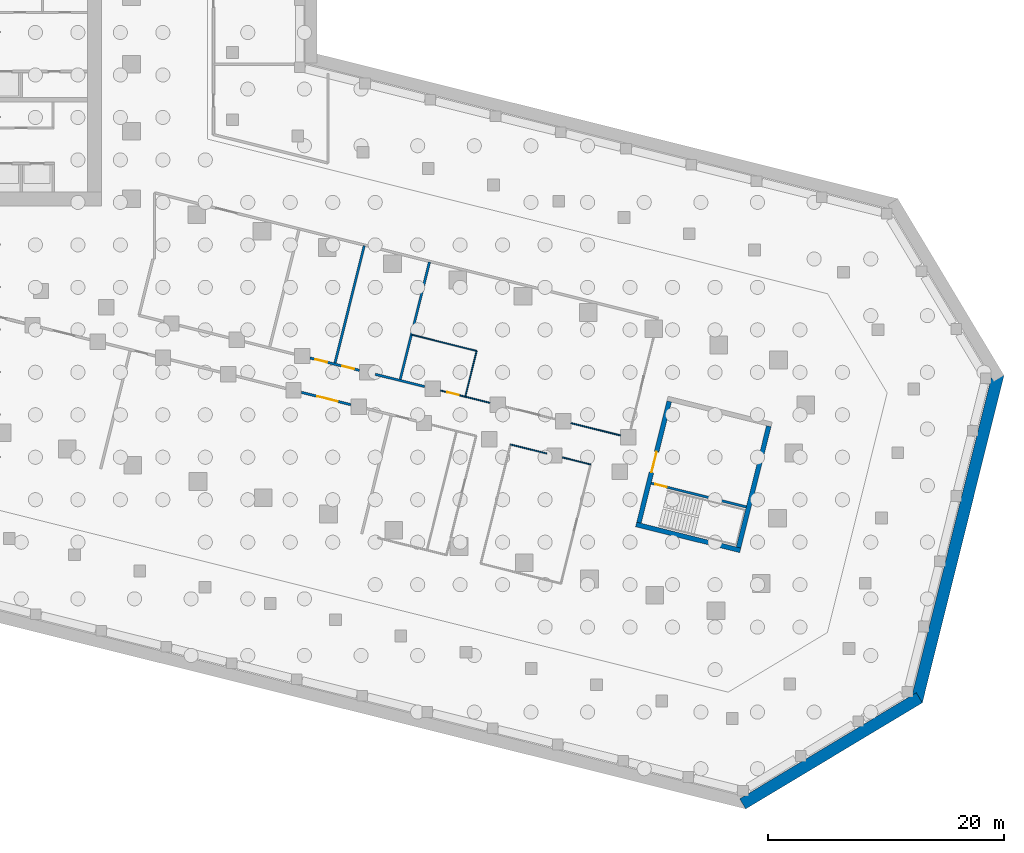
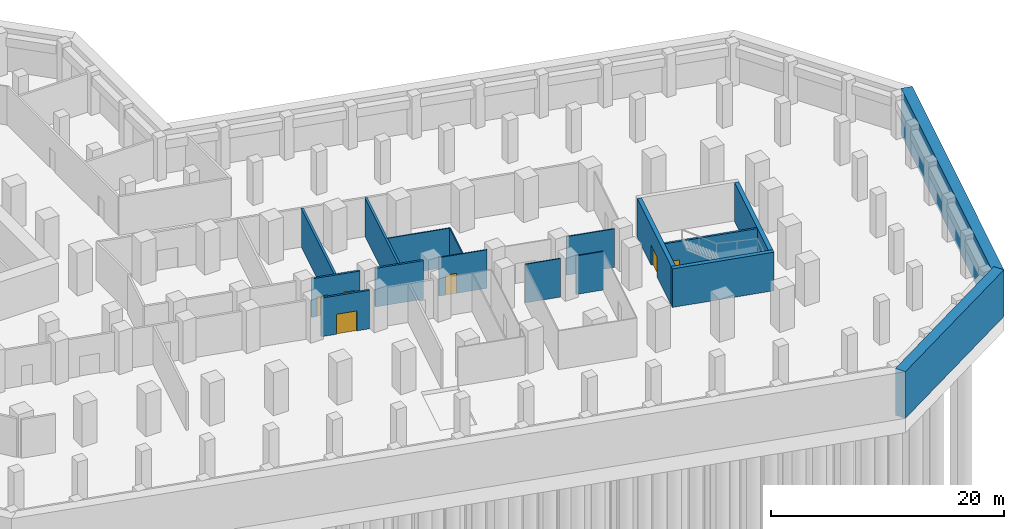
# One storey, part 8 of 15: 17 walls, 6 doors, 6 openings.
"""IFC4 building model written with IfcOpenShell, lengths in metres."""

from ifc_helpers import new_model, si_unit, direction, frame, frame_2d, origin, place, context, subcontext, project, spatial, rectangle, extrude, material, layer, layer_set, type_object, element, fill, save


model = new_model("IFC4")

# Units and contexts
model_context = context("Model", 3, precision=1e-05, world=origin(), true_north=direction((0.0, 1.0)))
body_context = subcontext(model_context, "Body", "Model", "MODEL_VIEW")
ifc_project = project(units=[si_unit("LENGTHUNIT", "METRE"), si_unit("AREAUNIT", "SQUARE_METRE"), si_unit("VOLUMEUNIT", "CUBIC_METRE"), si_unit("PLANEANGLEUNIT", "RADIAN"), si_unit("MASSUNIT", "GRAM", prefix="KILO")], contexts=[model_context])

# Site, building, storey
site_placement = place(None, origin())
site = spatial("IfcSite", under=ifc_project, at=site_placement, CompositionType="ELEMENT")
building_placement = place(site_placement, origin())
building = spatial("IfcBuilding", under=site, at=building_placement, Name="Meshkara Civic Tower", CompositionType="ELEMENT")
storey_placement = place(building_placement, frame((0.0, 0.0, -9.0)))
storey = spatial("IfcBuildingStorey", under=building, at=storey_placement, Name="B2", CompositionType="ELEMENT", Elevation=-9.0)

# Wall, opening, door
ifc_material_1 = material(Name="Corridor wall 100")
ifc_layer_1 = layer(ifc_material_1, 0.10009765625)
ifc_layer_set_1 = layer_set([ifc_layer_1], Name="Corridor wall 100")
wall_type_1 = type_object("IfcWallType", Name="Corridor wall 100", PredefinedType="PARTITIONING", material=ifc_layer_set_1)
wall_1_placement = place(storey_placement, frame((59.533935546875, -1.548095703125, 0.0), z_axis=(0.0, 0.0, 1.0), x_axis=(0.970298563138, -0.241910517285, 0.0)))
wall_1 = element("IfcWall", 1, at=wall_1_placement, inside=storey, type_object=wall_type_1, Name="B2-R064", PredefinedType="PARTITIONING", context=body_context, shape_type="SweptSolid", body=[
    extrude(rectangle(XDim=4.3193359375, YDim=0.10009765625, at=frame_2d((2.15966796875, 0.0))), origin(), (0.0, 0.0, 1.0), 4.050048828125),
])
opening_1_placement = place(wall_1_placement, frame((0.580078125, 0.0, 0.0)))
opening_1 = element("IfcOpeningElement", 2, at=opening_1_placement, cuts=wall_1, Name="Opening B2-P006", PredefinedType="OPENING", context=body_context, shape_type="SweptSolid", body=[
    extrude(rectangle(XDim=1.0, YDim=2.10009765625, at=frame_2d((0.5, 1.050048828125))), frame((0.0, 0.06005859375, 0.0), z_axis=(0.0, -1.0, 0.0), x_axis=(1.0, 0.0, 0.0)), (0.0, 0.0, 1.0), 0.1201171875),
])
ifc_material_2 = material(Name="Door 1000 x 2100")
door_type_1 = type_object("IfcDoorType", Name="Door 1000 x 2100", OperationType="SINGLE_SWING_LEFT", PredefinedType="DOOR", material=ifc_material_2)
door_1_placement = place(opening_1_placement, origin())
door_1 = element("IfcDoor", 3, at=door_1_placement, inside=storey, type_object=door_type_1, Name="B2-P006", OperationType="SINGLE_SWING_LEFT", OverallHeight=2.10009765625, OverallWidth=1.0, PredefinedType="DOOR", context=body_context, shape_type="SweptSolid", body=[
    extrude(rectangle(XDim=1.0, YDim=2.10009765625, at=frame_2d((0.5, 1.050048828125))), frame((0.0, 0.02490234375, 0.0), z_axis=(0.0, -1.0, 0.0), x_axis=(1.0, 0.0, 0.0)), (0.0, 0.0, 1.0), 0.050048828125),
])
fill(opening_1, door_1)

# Walls
wall_2_placement = place(storey_placement, frame((65.464111328125, -6.118896484375, 0.0), z_axis=(0.0, 0.0, 1.0), x_axis=(0.970314967916, -0.241844708519, 0.0)))
element("IfcWall", 4, at=wall_2_placement, inside=storey, type_object=wall_type_1, Name="B2-R068", PredefinedType="PARTITIONING", context=body_context, shape_type="SweptSolid", body=[
    extrude(rectangle(XDim=3.15966796875, YDim=0.10009765625, at=frame_2d((1.579833984375, 0.0))), origin(), (0.0, 0.0, 1.0), 4.050048828125),
])
wall_3_placement = place(storey_placement, frame((69.8701171875, -7.217041015625, 0.0), z_axis=(0.0, 0.0, 1.0), x_axis=(0.970311562898, -0.241858369519, 0.0)))
element("IfcWall", 5, at=wall_3_placement, inside=storey, type_object=wall_type_1, Name="B2-R071", PredefinedType="PARTITIONING", context=body_context, shape_type="SweptSolid", body=[
    extrude(rectangle(XDim=2.4599609375, YDim=0.10009765625, at=frame_2d((1.22998046875, 0.0))), origin(), (0.0, 0.0, 1.0), 4.050048828125),
])
wall_4_placement = place(storey_placement, frame((74.785888671875, -5.35107421875, 0.0), z_axis=(0.0, 0.0, 1.0), x_axis=(-0.970268742766, 0.242030094848, 0.0)))
element("IfcWall", 6, at=wall_4_placement, inside=storey, type_object=wall_type_1, Name="B2-R073", PredefinedType="PARTITIONING", context=body_context, shape_type="SweptSolid", body=[
    extrude(rectangle(XDim=4.318359375, YDim=0.10009765625, at=frame_2d((2.1591796875, 0.0))), origin(), (0.0, 0.0, 1.0), 4.050048828125),
])
ifc_material_3 = material(Name="Concrete C50", Category="concrete")
ifc_layer_2 = layer(ifc_material_3, 1.0)
ifc_layer_set_2 = layer_set([ifc_layer_2], Name="Diaphragm wall 1000 C50")
wall_type_2 = type_object("IfcWallType", Name="Diaphragm wall 1000 C50", PredefinedType="SOLIDWALL", material=ifc_layer_set_2)
wall_5_placement = place(storey_placement, frame((106.807373046875, -0.14599609375, -0.39990234375), z_axis=(0.0, 0.0, 1.0), x_axis=(-0.241950976383, -0.97028847516, 0.0)))
element("IfcWall", 7, at=wall_5_placement, inside=storey, type_object=wall_type_2, Name="Basement perimeter wall", PredefinedType="SOLIDWALL", context=body_context, shape_type="SweptSolid", body=[
    extrude(rectangle(XDim=28.594482421875, YDim=1.0, at=frame_2d((14.29736328125, 0.0))), origin(), (0.0, 0.0, 1.0), 4.89990234375),
])
wall_6_placement = place(storey_placement, frame((100.116455078125, -27.583251953125, -0.39990234375), z_axis=(0.0, 0.0, 1.0), x_axis=(-0.857158566266, -0.515052611174, 0.0)))
element("IfcWall", 8, at=wall_6_placement, inside=storey, type_object=wall_type_2, Name="Basement perimeter wall", PredefinedType="SOLIDWALL", context=body_context, shape_type="SweptSolid", body=[
    extrude(rectangle(XDim=17.46923828125, YDim=1.0, at=frame_2d((8.734619140625, 0.0))), origin(), (0.0, 0.0, 1.0), 4.89990234375),
])
ifc_material_4 = material(Name="Concrete C80", Category="concrete")
ifc_layer_3 = layer(ifc_material_4, 0.39990234375)
ifc_layer_set_3 = layer_set([ifc_layer_3], Name="End core ring wall 400 C80")
wall_type_3 = type_object("IfcWallType", Name="End core ring wall 400 C80", PredefinedType="SHEAR", material=ifc_layer_set_3)
wall_7_placement = place(storey_placement, frame((76.111083984375, -12.89599609375, 0.0), z_axis=(0.0, 0.0, 1.0), x_axis=(0.970311127573, -0.241860115992, 0.0)))
element("IfcWall", 9, at=wall_7_placement, inside=storey, type_object=wall_type_3, Name="B2-C031", PredefinedType="SHEAR", context=body_context, shape_type="SweptSolid", body=[
    extrude(rectangle(XDim=9.10009765625, YDim=0.39990234375, at=frame_2d((4.550048828125, 0.0))), origin(), (0.0, 0.0, 1.0), 4.050048828125),
])

# Wall, opening, door
wall_8_placement = place(storey_placement, frame((76.35302734375, -12.75, 0.0), z_axis=(0.0, 0.0, 1.0), x_axis=(0.241977390218, 0.970281888228, 0.0)))
wall_8 = element("IfcWall", 10, at=wall_8_placement, inside=storey, type_object=wall_type_3, Name="B2-C033", PredefinedType="SHEAR", context=body_context, shape_type="SweptSolid", body=[
    extrude(rectangle(XDim=10.599853515625, YDim=0.39990234375, at=frame_2d((5.2998046875, 0.0))), origin(), (0.0, 0.0, 1.0), 4.050048828125),
])
opening_2_placement = place(wall_8_placement, frame((4.39990234375, 0.0, 0.0)))
opening_2 = element("IfcOpeningElement", 11, at=opening_2_placement, cuts=wall_8, Name="Opening B2-K202", PredefinedType="OPENING", context=body_context, shape_type="SweptSolid", body=[
    extrude(rectangle(XDim=1.800048828125, YDim=2.10009765625, at=frame_2d((0.89990234375, 1.050048828125))), frame((0.0, 0.2099609375, 0.0), z_axis=(0.0, -1.0, 0.0), x_axis=(1.0, 0.0, 0.0)), (0.0, 0.0, 1.0), 0.419921875),
])
ifc_material_5 = material(Name="Fire-rated door leaf in steel frame", Category="steel")
door_type_2 = type_object("IfcDoorType", Name="Core double door 1800 EI 60", OperationType="DOUBLE_DOOR_SINGLE_SWING", PredefinedType="DOOR", material=ifc_material_5)
door_2_placement = place(opening_2_placement, origin())
door_2 = element("IfcDoor", 12, at=door_2_placement, inside=storey, type_object=door_type_2, Name="B2-K202", OperationType="DOUBLE_DOOR_SINGLE_SWING", OverallHeight=2.10009765625, OverallWidth=1.800048828125, PredefinedType="DOOR", context=body_context, shape_type="SweptSolid", body=[
    extrude(rectangle(XDim=1.800048828125, YDim=2.10009765625, at=frame_2d((0.89990234375, 1.050048828125))), frame((0.0, 0.02490234375, 0.0), z_axis=(0.0, -1.0, 0.0), x_axis=(1.0, 0.0, 0.0)), (0.0, 0.0, 1.0), 0.050048828125),
])
fill(opening_2, door_2)

# Wall
wall_9_placement = place(storey_placement, frame((84.794921875, -14.85498046875, 0.0), z_axis=(0.0, 0.0, 1.0), x_axis=(0.241890652548, 0.970303515509, 0.0)))
element("IfcWall", 13, at=wall_9_placement, inside=storey, type_object=wall_type_3, Name="B2-C034", PredefinedType="SHEAR", context=body_context, shape_type="SweptSolid", body=[
    extrude(rectangle(XDim=10.599609375, YDim=0.39990234375, at=frame_2d((5.2998046875, 0.0))), origin(), (0.0, 0.0, 1.0), 4.050048828125),
])

# Wall, opening, door
ifc_material_6 = material(Name="Fire-rated wall 200")
ifc_layer_4 = layer(ifc_material_6, 0.199951171875)
ifc_layer_set_4 = layer_set([ifc_layer_4], Name="Fire-rated wall 200")
wall_type_4 = type_object("IfcWallType", Name="Fire-rated wall 200", PredefinedType="PARTITIONING", material=ifc_layer_set_4)
wall_10_placement = place(storey_placement, frame((47.7470703125, -1.701904296875, 0.0), z_axis=(0.0, 0.0, 1.0), x_axis=(0.97028198557, -0.241976999897, 0.0)))
wall_10 = element("IfcWall", 14, at=wall_10_placement, inside=storey, type_object=wall_type_4, Name="B2-R056", PredefinedType="PARTITIONING", context=body_context, shape_type="SweptSolid", body=[
    extrude(rectangle(XDim=4.3193359375, YDim=0.199951171875, at=frame_2d((2.15966796875, 0.0))), origin(), (0.0, 0.0, 1.0), 4.050048828125),
])
opening_3_placement = place(wall_10_placement, frame((1.3798828125, 0.0, 0.0)))
opening_3 = element("IfcOpeningElement", 15, at=opening_3_placement, cuts=wall_10, Name="Opening B2-P004", PredefinedType="OPENING", context=body_context, shape_type="SweptSolid", body=[
    extrude(rectangle(XDim=1.800048828125, YDim=2.10009765625, at=frame_2d((0.89990234375, 1.050048828125))), frame((0.0, 0.10986328125, 0.0), z_axis=(0.0, -1.0, 0.0), x_axis=(1.0, 0.0, 0.0)), (0.0, 0.0, 1.0), 0.219970703125),
])
ifc_material_7 = material(Name="Door pair 1800 x 2100")
door_type_3 = type_object("IfcDoorType", Name="Door pair 1800 x 2100", OperationType="SINGLE_SWING_LEFT", PredefinedType="DOOR", material=ifc_material_7)
door_3_placement = place(opening_3_placement, origin())
door_3 = element("IfcDoor", 16, at=door_3_placement, inside=storey, type_object=door_type_3, Name="B2-P004", OperationType="DOUBLE_DOOR_SINGLE_SWING", OverallHeight=2.10009765625, OverallWidth=1.800048828125, PredefinedType="DOOR", context=body_context, shape_type="SweptSolid", body=[
    extrude(rectangle(XDim=1.800048828125, YDim=2.10009765625, at=frame_2d((0.89990234375, 1.050048828125))), frame((0.0, 0.02490234375, 0.0), z_axis=(0.0, -1.0, 0.0), x_axis=(1.0, 0.0, 0.0)), (0.0, 0.0, 1.0), 0.050048828125),
])
fill(opening_3, door_3)

# Wall, openings, doors
wall_11_placement = place(storey_placement, frame((48.472900390625, 1.208984375, 0.0), z_axis=(0.0, 0.0, 1.0), x_axis=(0.970298563138, -0.241910517285, 0.0)))
wall_11 = element("IfcWall", 17, at=wall_11_placement, inside=storey, type_object=wall_type_4, Name="B2-R057", PredefinedType="PARTITIONING", context=body_context, shape_type="SweptSolid", body=[
    extrude(rectangle(XDim=4.3193359375, YDim=0.199951171875, at=frame_2d((2.15966796875, 0.0))), origin(), (0.0, 0.0, 1.0), 4.050048828125),
])
opening_4_placement = place(wall_11_placement, frame((0.47998046875, 0.0, 0.0)))
opening_4 = element("IfcOpeningElement", 18, at=opening_4_placement, cuts=wall_11, Name="Opening B2-P012", PredefinedType="OPENING", context=body_context, shape_type="SweptSolid", body=[
    extrude(rectangle(XDim=1.0, YDim=2.10009765625, at=frame_2d((0.5, 1.050048828125))), frame((0.0, 0.10986328125, 0.0), z_axis=(0.0, -1.0, 0.0), x_axis=(1.0, 0.0, 0.0)), (0.0, 0.0, 1.0), 0.219970703125),
])
opening_5_placement = place(wall_11_placement, frame((2.839111328125, 0.0, 0.0)))
opening_5 = element("IfcOpeningElement", 19, at=opening_5_placement, cuts=wall_11, Name="Opening B2-P013", PredefinedType="OPENING", context=body_context, shape_type="SweptSolid", body=[
    extrude(rectangle(XDim=1.0, YDim=2.10009765625, at=frame_2d((0.5, 1.050048828125))), frame((0.0, 0.10986328125, 0.0), z_axis=(0.0, -1.0, 0.0), x_axis=(1.0, 0.0, 0.0)), (0.0, 0.0, 1.0), 0.219970703125),
])
door_4_placement = place(opening_4_placement, origin())
door_4 = element("IfcDoor", 20, at=door_4_placement, inside=storey, type_object=door_type_1, Name="B2-P012", OperationType="SINGLE_SWING_LEFT", OverallHeight=2.10009765625, OverallWidth=1.0, PredefinedType="DOOR", context=body_context, shape_type="SweptSolid", body=[
    extrude(rectangle(XDim=1.0, YDim=2.10009765625, at=frame_2d((0.5, 1.050048828125))), frame((0.0, 0.02490234375, 0.0), z_axis=(0.0, -1.0, 0.0), x_axis=(1.0, 0.0, 0.0)), (0.0, 0.0, 1.0), 0.050048828125),
])
fill(opening_4, door_4)
door_5_placement = place(opening_5_placement, origin())
door_5 = element("IfcDoor", 21, at=door_5_placement, inside=storey, type_object=door_type_1, Name="B2-P013", OperationType="SINGLE_SWING_RIGHT", OverallHeight=2.10009765625, OverallWidth=1.0, PredefinedType="DOOR", context=body_context, shape_type="SweptSolid", body=[
    extrude(rectangle(XDim=1.0, YDim=2.10009765625, at=frame_2d((0.5, 1.050048828125))), frame((0.0, 0.02490234375, 0.0), z_axis=(0.0, -1.0, 0.0), x_axis=(1.0, 0.0, 0.0)), (0.0, 0.0, 1.0), 0.050048828125),
])
fill(opening_5, door_5)

# Walls
wall_12_placement = place(storey_placement, frame((54.00390625, -0.169921875, 0.0), z_axis=(0.0, 0.0, 1.0), x_axis=(0.970325134426, -0.241803915396, 0.0)))
element("IfcWall", 22, at=wall_12_placement, inside=storey, type_object=wall_type_4, Name="B2-R061", PredefinedType="PARTITIONING", context=body_context, shape_type="SweptSolid", body=[
    extrude(rectangle(XDim=4.318359375, YDim=0.199951171875, at=frame_2d((2.1591796875, 0.0))), origin(), (0.0, 0.0, 1.0), 4.050048828125),
])
wall_13_placement = place(storey_placement, frame((50.580078125, 0.736083984375, 0.0), z_axis=(0.0, 0.0, 1.0), x_axis=(0.241961075032, 0.970285956906, 0.0)))
element("IfcWall", 23, at=wall_13_placement, inside=storey, type_object=wall_type_4, Name="B2-R086", PredefinedType="PARTITIONING", context=body_context, shape_type="SweptSolid", body=[
    extrude(rectangle(XDim=10.298828125, YDim=0.199951171875, at=frame_2d((5.1494140625, 0.0))), origin(), (0.0, 0.0, 1.0), 4.050048828125),
])
wall_14_placement = place(storey_placement, frame((56.111083984375, -0.64306640625, 0.0), z_axis=(0.0, 0.0, 1.0), x_axis=(0.241955509804, 0.970287344695, 0.0)))
element("IfcWall", 24, at=wall_14_placement, inside=storey, type_object=wall_type_4, Name="B2-R088", PredefinedType="PARTITIONING", context=body_context, shape_type="SweptSolid", body=[
    extrude(rectangle(XDim=10.299072265625, YDim=0.199951171875, at=frame_2d((5.1494140625, 0.0))), origin(), (0.0, 0.0, 1.0), 4.050048828125),
])
ifc_material_8 = material(Name="Partition 100")
ifc_layer_5 = layer(ifc_material_8, 0.10009765625)
ifc_layer_set_5 = layer_set([ifc_layer_5], Name="Partition 100")
wall_type_5 = type_object("IfcWallType", Name="Partition 100", PredefinedType="PARTITIONING", material=ifc_layer_set_5)
wall_15_placement = place(storey_placement, frame((61.64208984375, -2.02197265625, 0.0), z_axis=(0.0, 0.0, 1.0), x_axis=(0.242011966792, 0.970273264565, 0.0)))
element("IfcWall", 25, at=wall_15_placement, inside=storey, type_object=wall_type_5, Name="B2-R090", PredefinedType="PARTITIONING", context=body_context, shape_type="SweptSolid", body=[
    extrude(rectangle(XDim=3.949462890625, YDim=0.10009765625, at=frame_2d((1.974609375, 0.0))), origin(), (0.0, 0.0, 1.0), 4.050048828125),
])
wall_16_placement = place(storey_placement, frame((62.597900390625, 1.81005859375, 0.0), z_axis=(0.0, 0.0, 1.0), x_axis=(-0.970289751225, 0.241945858961, 0.0)))
element("IfcWall", 26, at=wall_16_placement, inside=storey, type_object=wall_type_5, Name="B2-R091", PredefinedType="PARTITIONING", context=body_context, shape_type="SweptSolid", body=[
    extrude(rectangle(XDim=5.64990234375, YDim=0.10009765625, at=frame_2d((2.824951171875, 0.0))), origin(), (0.0, 0.0, 1.0), 4.050048828125),
])

# Wall, opening, door
ifc_material_9 = material(Name="Concrete C40/50", Category="concrete")
ifc_layer_6 = layer(ifc_material_9, 0.199951171875)
ifc_layer_set_6 = layer_set([ifc_layer_6], Name="Stair enclosure wall 200 C40/50")
wall_type_6 = type_object("IfcWallType", Name="Stair enclosure wall 200 C40/50", PredefinedType="SOLIDWALL", material=ifc_layer_set_6)
wall_17_placement = place(storey_placement, frame((77.39404296875, -9.403076171875, 0.0), z_axis=(0.0, 0.0, 1.0), x_axis=(0.970303192681, -0.241891947516, 0.0)))
wall_17 = element("IfcWall", 27, at=wall_17_placement, inside=storey, type_object=wall_type_6, Name="B2-C035", PredefinedType="SOLIDWALL", context=body_context, shape_type="SweptSolid", body=[
    extrude(rectangle(XDim=8.300537109375, YDim=0.199951171875, at=frame_2d((4.150390625, 0.0))), origin(), (0.0, 0.0, 1.0), 4.050048828125),
])
opening_6_placement = place(wall_17_placement, frame((0.35009765625, 0.0, 0.0)))
opening_6 = element("IfcOpeningElement", 28, at=opening_6_placement, cuts=wall_17, Name="Opening B2-K201", PredefinedType="OPENING", context=body_context, shape_type="SweptSolid", body=[
    extrude(rectangle(XDim=1.0, YDim=2.10009765625, at=frame_2d((0.5, 1.050048828125))), frame((0.0, 0.10986328125, 0.0), z_axis=(0.0, -1.0, 0.0), x_axis=(1.0, 0.0, 0.0)), (0.0, 0.0, 1.0), 0.219970703125),
])
ifc_material_10 = material(Name="Fire-rated door leaf in steel frame", Category="steel")
door_type_4 = type_object("IfcDoorType", Name="Stair door 1000 EI 120", OperationType="SINGLE_SWING_LEFT", PredefinedType="DOOR", material=ifc_material_10)
door_6_placement = place(opening_6_placement, origin())
door_6 = element("IfcDoor", 29, at=door_6_placement, inside=storey, type_object=door_type_4, Name="B2-K201", OperationType="SINGLE_SWING_LEFT", OverallHeight=2.10009765625, OverallWidth=1.0, PredefinedType="DOOR", context=body_context, shape_type="SweptSolid", body=[
    extrude(rectangle(XDim=1.0, YDim=2.10009765625, at=frame_2d((0.5, 1.050048828125))), frame((0.0, 0.02490234375, 0.0), z_axis=(0.0, -1.0, 0.0), x_axis=(1.0, 0.0, 0.0)), (0.0, 0.0, 1.0), 0.050048828125),
])
fill(opening_6, door_6)

save(model, "model.ifc")
